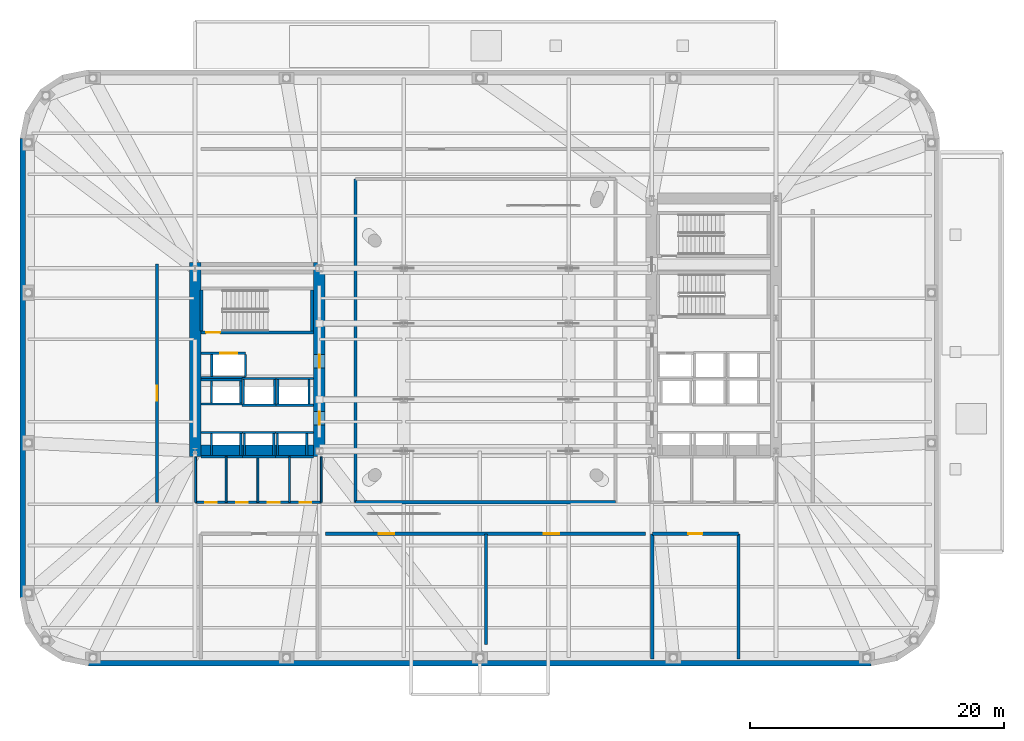
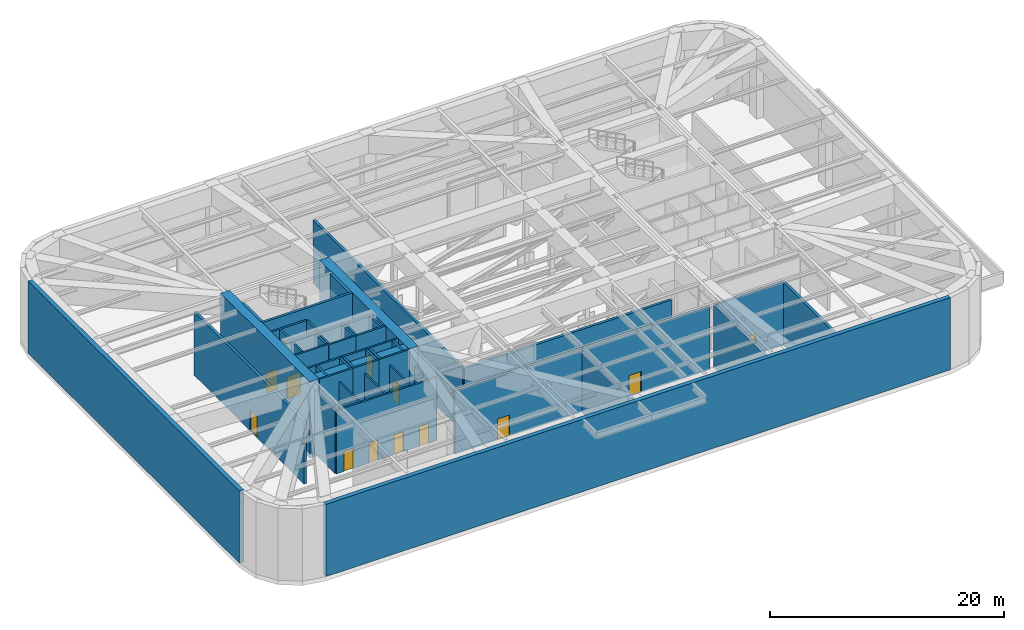
# One storey, part 8 of 15: 50 walls, 12 doors, 12 openings.
"""IFC4 building model written with IfcOpenShell, lengths in metres."""

from ifc_helpers import new_model, si_unit, direction, frame, frame_2d, origin, place, context, subcontext, project, spatial, rectangle, extrude, material, layer, layer_set, type_object, element, fill, save


model = new_model("IFC4")

# Units and contexts
model_context = context("Model", 3, precision=1e-05, world=origin(), true_north=direction((0.0, 1.0)))
body_context = subcontext(model_context, "Body", "Model", "MODEL_VIEW")
ifc_project = project(units=[si_unit("LENGTHUNIT", "METRE"), si_unit("AREAUNIT", "SQUARE_METRE"), si_unit("VOLUMEUNIT", "CUBIC_METRE"), si_unit("PLANEANGLEUNIT", "RADIAN"), si_unit("MASSUNIT", "GRAM", prefix="KILO")], contexts=[model_context])

# Site, building, storey
site_placement = place(None, origin())
site = spatial("IfcSite", under=ifc_project, at=site_placement, CompositionType="ELEMENT")
building_placement = place(site_placement, origin())
building = spatial("IfcBuilding", under=site, at=building_placement, Name="Kolvaren Arena Tower", CompositionType="ELEMENT")
storey_placement = place(building_placement, frame((0.0, 0.0, 34.0)))
storey = spatial("IfcBuildingStorey", under=building, at=storey_placement, Name="L06", CompositionType="ELEMENT", Elevation=34.0)

# Wall
ifc_material_1 = material(Name="Concrete 80 MPa", Category="concrete")
ifc_layer_1 = layer(ifc_material_1, 0.89990234375)
ifc_layer_set_1 = layer_set([ifc_layer_1], Name="Concrete 80 MPa")
wall_type_1 = type_object("IfcWallType", Name="CWALL-900", PredefinedType="SHEAR", material=ifc_layer_set_1)
wall_1_placement = place(storey_placement, frame((14.550048828125, 19.0, -0.449951171875), z_axis=(0.0, 0.0, 1.0), x_axis=(0.0, 1.0, 0.0)))
element("IfcWall", 1, at=wall_1_placement, inside=storey, type_object=wall_type_1, Name="Core Shear Wall WC-WEST (L06)", PredefinedType="SHEAR", context=body_context, shape_type="SweptSolid", body=[
    extrude(rectangle(XDim=15.300048828125, YDim=0.89990234375, at=frame_2d((7.64990234375, 0.0))), origin(), (0.0, 0.0, 1.0), 8.0),
])

# Wall, openings, doors
wall_2_placement = place(storey_placement, frame((24.35009765625, 19.0, -0.449951171875), z_axis=(0.0, 0.0, 1.0), x_axis=(0.0, 1.0, 0.0)))
wall_2 = element("IfcWall", 2, at=wall_2_placement, inside=storey, type_object=wall_type_1, Name="Core Shear Wall WC-EAST (L06)", PredefinedType="SHEAR", context=body_context, shape_type="SweptSolid", body=[
    extrude(rectangle(XDim=15.300048828125, YDim=0.89990234375, at=frame_2d((7.64990234375, 0.0))), origin(), (0.0, 0.0, 1.0), 8.0),
])
opening_1_placement = place(wall_2_placement, frame((2.5, 0.0, 0.449951171875)))
opening_1 = element("IfcOpeningElement", 3, at=opening_1_placement, cuts=wall_2, Name="Opening D04", PredefinedType="OPENING", context=body_context, shape_type="SweptSolid", body=[
    extrude(rectangle(XDim=1.050048828125, YDim=2.14990234375, at=frame_2d((0.52490234375, 1.074951171875))), frame((0.0, 0.4599609375, 0.0), z_axis=(0.0, -1.0, 0.0), x_axis=(1.0, 0.0, 0.0)), (0.0, 0.0, 1.0), 0.919921875),
])
opening_2_placement = place(wall_2_placement, frame((7.0, 0.0, 0.449951171875)))
opening_2 = element("IfcOpeningElement", 4, at=opening_2_placement, cuts=wall_2, Name="Opening D04", PredefinedType="OPENING", context=body_context, shape_type="SweptSolid", body=[
    extrude(rectangle(XDim=1.050048828125, YDim=2.14990234375, at=frame_2d((0.52490234375, 1.074951171875))), frame((0.0, 0.4599609375, 0.0), z_axis=(0.0, -1.0, 0.0), x_axis=(1.0, 0.0, 0.0)), (0.0, 0.0, 1.0), 0.919921875),
])
ifc_material_2 = material(Name="Fire-rated steel lobby door", Category="steel")
door_type_1 = type_object("IfcDoorType", Name="DOOR-FF-105", OperationType="NOTDEFINED", PredefinedType="DOOR", material=ifc_material_2)
door_1_placement = place(opening_1_placement, origin())
door_1 = element("IfcDoor", 5, at=door_1_placement, inside=storey, type_object=door_type_1, Name="West Lift Lobby Fire Door (L06)", OperationType="SINGLE_SWING_LEFT", OverallHeight=2.14990234375, OverallWidth=1.050048828125, PredefinedType="DOOR", context=body_context, shape_type="SweptSolid", body=[
    extrude(rectangle(XDim=1.050048828125, YDim=2.14990234375, at=frame_2d((0.52490234375, 1.074951171875))), frame((0.0, 0.02490234375, 0.0), z_axis=(0.0, -1.0, 0.0), x_axis=(1.0, 0.0, 0.0)), (0.0, 0.0, 1.0), 0.050048828125),
])
fill(opening_1, door_1)
door_2_placement = place(opening_2_placement, origin())
door_2 = element("IfcDoor", 6, at=door_2_placement, inside=storey, type_object=door_type_1, Name="West Firefighter Vestibule Door (L06)", OperationType="SINGLE_SWING_RIGHT", OverallHeight=2.14990234375, OverallWidth=1.050048828125, PredefinedType="DOOR", context=body_context, shape_type="SweptSolid", body=[
    extrude(rectangle(XDim=1.050048828125, YDim=2.14990234375, at=frame_2d((0.52490234375, 1.074951171875))), frame((0.0, 0.02490234375, 0.0), z_axis=(0.0, -1.0, 0.0), x_axis=(1.0, 0.0, 0.0)), (0.0, 0.0, 1.0), 0.050048828125),
])
fill(opening_2, door_2)

# Walls
wall_3_placement = place(storey_placement, frame((15.0, 19.449951171875, -0.449951171875), z_axis=(0.0, 0.0, 1.0), x_axis=(1.0, 0.0, 0.0)))
element("IfcWall", 7, at=wall_3_placement, inside=storey, type_object=wall_type_1, Name="Core Shear Wall WC-SOUTH (L06)", PredefinedType="SHEAR", context=body_context, shape_type="SweptSolid", body=[
    extrude(rectangle(XDim=8.89990234375, YDim=0.89990234375, at=frame_2d((4.449951171875, 0.0))), origin(), (0.0, 0.0, 1.0), 8.0),
])
ifc_material_3 = material(Name="Precast concrete C50/60", Category="concrete")
ifc_layer_2 = layer(ifc_material_3, 0.419921875)
ifc_layer_set_2 = layer_set([ifc_layer_2], Name="Precast concrete C50/60")
wall_type_2 = type_object("IfcWallType", Name="EXT-PIER1", PredefinedType="SOLIDWALL", material=ifc_layer_set_2)
wall_4_placement = place(storey_placement, frame((0.9599609375, 7.89990234375, 0.0), z_axis=(0.0, 0.0, 1.0), x_axis=(0.0, 1.0, 0.0)))
element("IfcWall", 8, at=wall_4_placement, inside=storey, type_object=wall_type_2, Name="Exterior Precast Masonry-Frame Wall (L06)", PredefinedType="SOLIDWALL", context=body_context, shape_type="SweptSolid", body=[
    extrude(rectangle(XDim=36.2001953125, YDim=0.419921875, at=frame_2d((18.10009765625, 0.0))), origin(), (0.0, 0.0, 1.0), 7.550048828125),
])
wall_5_placement = place(storey_placement, frame((67.85009765625, 2.7099609375, 0.0), z_axis=(0.0, 0.0, 1.0), x_axis=(-1.0, 0.0, 0.0)))
element("IfcWall", 9, at=wall_5_placement, inside=storey, type_object=wall_type_2, Name="Exterior Precast Masonry-Frame Wall (L06)", PredefinedType="SOLIDWALL", context=body_context, shape_type="SweptSolid", body=[
    extrude(rectangle(XDim=61.7001953125, YDim=0.419921875, at=frame_2d((30.85009765625, 0.0))), origin(), (0.0, 0.0, 1.0), 7.550048828125),
])

# Wall, opening, door
ifc_material_4 = material(Name="Concrete 45 MPa", Category="concrete")
ifc_layer_3 = layer(ifc_material_4, 0.25)
ifc_layer_set_3 = layer_set([ifc_layer_3], Name="Concrete 45 MPa")
wall_type_3 = type_object("IfcWallType", Name="SHAFT-250", PredefinedType="SOLIDWALL", material=ifc_layer_set_3)
wall_6_placement = place(storey_placement, frame((23.89990234375, 28.780029296875, 0.0), z_axis=(0.0, 0.0, 1.0), x_axis=(-1.0, 0.0, 0.0)))
wall_6 = element("IfcWall", 10, at=wall_6_placement, inside=storey, type_object=wall_type_3, Name="Core Shaft Wall (L06)", PredefinedType="SOLIDWALL", context=body_context, shape_type="SweptSolid", body=[
    extrude(rectangle(XDim=8.89990234375, YDim=0.239990234375, at=frame_2d((4.449951171875, 0.0))), origin(), (0.0, 0.0, 1.0), 7.550048828125),
])
opening_3_placement = place(wall_6_placement, frame((7.3798828125, 0.0, 0.0)))
opening_3 = element("IfcOpeningElement", 11, at=opening_3_placement, cuts=wall_6, Name="Opening D03", PredefinedType="OPENING", context=body_context, shape_type="SweptSolid", body=[
    extrude(rectangle(XDim=1.10009765625, YDim=2.14990234375, at=frame_2d((0.550048828125, 1.074951171875))), frame((0.0, 0.1298828125, 0.0), z_axis=(0.0, -1.0, 0.0), x_axis=(1.0, 0.0, 0.0)), (0.0, 0.0, 1.0), 0.260009765625),
])
ifc_material_5 = material(Name="Fire-rated steel exit stair door", Category="steel")
door_type_2 = type_object("IfcDoorType", Name="DOOR-ST-110", OperationType="NOTDEFINED", PredefinedType="DOOR", material=ifc_material_5)
door_3_placement = place(opening_3_placement, origin())
door_3 = element("IfcDoor", 12, at=door_3_placement, inside=storey, type_object=door_type_2, Name="Stair ST-W1 Fire Door (L06)", OperationType="SINGLE_SWING_RIGHT", OverallHeight=2.14990234375, OverallWidth=1.10009765625, PredefinedType="DOOR", context=body_context, shape_type="SweptSolid", body=[
    extrude(rectangle(XDim=1.10009765625, YDim=2.14990234375, at=frame_2d((0.550048828125, 1.074951171875))), frame((0.0, 0.02490234375, 0.0), z_axis=(0.0, -1.0, 0.0), x_axis=(1.0, 0.0, 0.0)), (0.0, 0.0, 1.0), 0.050048828125),
])
fill(opening_3, door_3)

# Walls
for number, where, z_axis, x_axis, name in (
    (13, (15.06005859375, 28.89990234375, 0.0), (0.0, 0.0, 1.0), (0.0, 1.0, 0.0), "Core Shaft Wall (L06)"),
    (14, (23.780029296875, 28.89990234375, 0.0), (0.0, 0.0, 1.0), (0.0, 1.0, 0.0), "Core Shaft Wall (L06)"),
):
    element("IfcWall", number, at=place(storey_placement, frame(where, z_axis=z_axis, x_axis=x_axis)), inside=storey, type_object=wall_type_3, Name=name, PredefinedType="SOLIDWALL", context=body_context, shape_type="SweptSolid", body=[
        extrude(rectangle(XDim=3.22998046875, YDim=0.239990234375, at=frame_2d((1.614990234375, 0.0))), origin(), (0.0, 0.0, 1.0), 7.550048828125),
    ])
for number, where, z_axis, x_axis, name in (
    (15, (15.0, 20.905029296875, 0.0), (0.0, 0.0, 1.0), (1.0, 0.0, 0.0), "Core Shaft Wall (L06)"),
    (16, (15.0, 18.9951171875, 0.0), (0.0, 0.0, 1.0), (1.0, 0.0, 0.0), "Core Shaft Wall (L06)"),
):
    element("IfcWall", number, at=place(storey_placement, frame(where, z_axis=z_axis, x_axis=x_axis)), inside=storey, type_object=wall_type_3, Name=name, PredefinedType="SOLIDWALL", context=body_context, shape_type="SweptSolid", body=[
        extrude(rectangle(XDim=3.300048828125, YDim=0.179931640625, at=frame_2d((1.64990234375, 0.0))), origin(), (0.0, 0.0, 1.0), 7.550048828125),
    ])
for number, where, z_axis, x_axis, name in (
    (17, (15.844970703125, 19.0849609375, 0.0), (0.0, 0.0, 1.0), (0.0, 1.0, 0.0), "Core Shaft Wall (L06)"),
    (18, (18.155029296875, 19.0849609375, 0.0), (0.0, 0.0, 1.0), (0.0, 1.0, 0.0), "Core Shaft Wall (L06)"),
):
    element("IfcWall", number, at=place(storey_placement, frame(where, z_axis=z_axis, x_axis=x_axis)), inside=storey, type_object=wall_type_3, Name=name, PredefinedType="SOLIDWALL", context=body_context, shape_type="SweptSolid", body=[
        extrude(rectangle(XDim=1.72998046875, YDim=0.179931640625, at=frame_2d((0.864990234375, 0.0))), origin(), (0.0, 0.0, 1.0), 7.550048828125),
    ])
for number, where, z_axis, x_axis, name in (
    (19, (18.300048828125, 20.905029296875, 0.0), (0.0, 0.0, 1.0), (1.0, 0.0, 0.0), "Core Shaft Wall (L06)"),
    (20, (18.300048828125, 18.9951171875, 0.0), (0.0, 0.0, 1.0), (1.0, 0.0, 0.0), "Core Shaft Wall (L06)"),
):
    element("IfcWall", number, at=place(storey_placement, frame(where, z_axis=z_axis, x_axis=x_axis)), inside=storey, type_object=wall_type_3, Name=name, PredefinedType="SOLIDWALL", context=body_context, shape_type="SweptSolid", body=[
        extrude(rectangle(XDim=2.599853515625, YDim=0.179931640625, at=frame_2d((1.2998046875, 0.0))), origin(), (0.0, 0.0, 1.0), 7.550048828125),
    ])
for number, where, z_axis, x_axis, name in (
    (21, (18.445068359375, 19.0849609375, 0.0), (0.0, 0.0, 1.0), (0.0, 1.0, 0.0), "Core Shaft Wall (L06)"),
    (22, (20.7548828125, 19.0849609375, 0.0), (0.0, 0.0, 1.0), (0.0, 1.0, 0.0), "Core Shaft Wall (L06)"),
):
    element("IfcWall", number, at=place(storey_placement, frame(where, z_axis=z_axis, x_axis=x_axis)), inside=storey, type_object=wall_type_3, Name=name, PredefinedType="SOLIDWALL", context=body_context, shape_type="SweptSolid", body=[
        extrude(rectangle(XDim=1.72998046875, YDim=0.179931640625, at=frame_2d((0.864990234375, 0.0))), origin(), (0.0, 0.0, 1.0), 7.550048828125),
    ])
for number, where, z_axis, x_axis, name in (
    (23, (20.89990234375, 20.905029296875, 0.0), (0.0, 0.0, 1.0), (1.0, 0.0, 0.0), "Core Shaft Wall (L06)"),
    (24, (20.89990234375, 18.9951171875, 0.0), (0.0, 0.0, 1.0), (1.0, 0.0, 0.0), "Core Shaft Wall (L06)"),
):
    element("IfcWall", number, at=place(storey_placement, frame(where, z_axis=z_axis, x_axis=x_axis)), inside=storey, type_object=wall_type_3, Name=name, PredefinedType="SOLIDWALL", context=body_context, shape_type="SweptSolid", body=[
        extrude(rectangle(XDim=3.0, YDim=0.179931640625, at=frame_2d((1.5, 0.0))), origin(), (0.0, 0.0, 1.0), 7.550048828125),
    ])
for number, where, z_axis, x_axis, name in (
    (25, (21.044921875, 19.0849609375, 0.0), (0.0, 0.0, 1.0), (0.0, 1.0, 0.0), "Core Shaft Wall (L06)"),
    (26, (23.35498046875, 19.0849609375, 0.0), (0.0, 0.0, 1.0), (0.0, 1.0, 0.0), "Core Shaft Wall (L06)"),
):
    element("IfcWall", number, at=place(storey_placement, frame(where, z_axis=z_axis, x_axis=x_axis)), inside=storey, type_object=wall_type_3, Name=name, PredefinedType="SOLIDWALL", context=body_context, shape_type="SweptSolid", body=[
        extrude(rectangle(XDim=1.72998046875, YDim=0.179931640625, at=frame_2d((0.864990234375, 0.0))), origin(), (0.0, 0.0, 1.0), 7.550048828125),
    ])
for number, where, z_axis, x_axis, name in (
    (27, (15.0, 25.054931640625, 0.0), (0.0, 0.0, 1.0), (1.0, 0.0, 0.0), "Core Shaft Wall (L06)"),
    (28, (15.0, 23.14501953125, 0.0), (0.0, 0.0, 1.0), (1.0, 0.0, 0.0), "Core Shaft Wall (L06)"),
):
    element("IfcWall", number, at=place(storey_placement, frame(where, z_axis=z_axis, x_axis=x_axis)), inside=storey, type_object=wall_type_3, Name=name, PredefinedType="SOLIDWALL", context=body_context, shape_type="SweptSolid", body=[
        extrude(rectangle(XDim=3.262451171875, YDim=0.179931640625, at=frame_2d((1.63134765625, 0.0))), origin(), (0.0, 0.0, 1.0), 7.550048828125),
    ])
for number, where, z_axis, x_axis, name in (
    (29, (15.844970703125, 23.235107421875, 0.0), (0.0, 0.0, 1.0), (0.0, 1.0, 0.0), "Core Shaft Wall (L06)"),
    (30, (18.155029296875, 23.235107421875, 0.0), (0.0, 0.0, 1.0), (0.0, 1.0, 0.0), "Core Shaft Wall (L06)"),
):
    element("IfcWall", number, at=place(storey_placement, frame(where, z_axis=z_axis, x_axis=x_axis)), inside=storey, type_object=wall_type_3, Name=name, PredefinedType="SOLIDWALL", context=body_context, shape_type="SweptSolid", body=[
        extrude(rectangle(XDim=1.72998046875, YDim=0.179931640625, at=frame_2d((0.864990234375, 0.0))), origin(), (0.0, 0.0, 1.0), 7.550048828125),
    ])
for number, where, z_axis, x_axis, name in (
    (31, (18.262451171875, 25.155029296875, 0.0), (0.0, 0.0, 1.0), (1.0, 0.0, 0.0), "Core Shaft Wall (L06)"),
    (32, (18.262451171875, 23.044921875, 0.0), (0.0, 0.0, 1.0), (1.0, 0.0, 0.0), "Core Shaft Wall (L06)"),
):
    element("IfcWall", number, at=place(storey_placement, frame(where, z_axis=z_axis, x_axis=x_axis)), inside=storey, type_object=wall_type_3, Name=name, PredefinedType="SOLIDWALL", context=body_context, shape_type="SweptSolid", body=[
        extrude(rectangle(XDim=2.6875, YDim=0.179931640625, at=frame_2d((1.34375, 0.0))), origin(), (0.0, 0.0, 1.0), 7.550048828125),
    ])
for number, where, z_axis, x_axis, name in (
    (33, (18.3701171875, 23.135009765625, 0.0), (0.0, 0.0, 1.0), (0.0, 1.0, 0.0), "Core Shaft Wall (L06)"),
    (34, (20.830078125, 23.135009765625, 0.0), (0.0, 0.0, 1.0), (0.0, 1.0, 0.0), "Core Shaft Wall (L06)"),
):
    element("IfcWall", number, at=place(storey_placement, frame(where, z_axis=z_axis, x_axis=x_axis)), inside=storey, type_object=wall_type_3, Name=name, PredefinedType="SOLIDWALL", context=body_context, shape_type="SweptSolid", body=[
        extrude(rectangle(XDim=1.929931640625, YDim=0.179931640625, at=frame_2d((0.96484375, 0.0))), origin(), (0.0, 0.0, 1.0), 7.550048828125),
    ])
for number, where, z_axis, x_axis, name in (
    (35, (20.949951171875, 25.155029296875, 0.0), (0.0, 0.0, 1.0), (1.0, 0.0, 0.0), "Core Shaft Wall (L06)"),
    (36, (20.949951171875, 23.044921875, 0.0), (0.0, 0.0, 1.0), (1.0, 0.0, 0.0), "Core Shaft Wall (L06)"),
):
    element("IfcWall", number, at=place(storey_placement, frame(where, z_axis=z_axis, x_axis=x_axis)), inside=storey, type_object=wall_type_3, Name=name, PredefinedType="SOLIDWALL", context=body_context, shape_type="SweptSolid", body=[
        extrude(rectangle(XDim=2.949951171875, YDim=0.179931640625, at=frame_2d((1.47509765625, 0.0))), origin(), (0.0, 0.0, 1.0), 7.550048828125),
    ])
for number, where, z_axis, x_axis, name in (
    (37, (21.070068359375, 23.135009765625, 0.0), (0.0, 0.0, 1.0), (0.0, 1.0, 0.0), "Core Shaft Wall (L06)"),
    (38, (23.530029296875, 23.135009765625, 0.0), (0.0, 0.0, 1.0), (0.0, 1.0, 0.0), "Core Shaft Wall (L06)"),
):
    element("IfcWall", number, at=place(storey_placement, frame(where, z_axis=z_axis, x_axis=x_axis)), inside=storey, type_object=wall_type_3, Name=name, PredefinedType="SOLIDWALL", context=body_context, shape_type="SweptSolid", body=[
        extrude(rectangle(XDim=1.929931640625, YDim=0.179931640625, at=frame_2d((0.96484375, 0.0))), origin(), (0.0, 0.0, 1.0), 7.550048828125),
    ])

# Wall, opening, door
wall_7_placement = place(storey_placement, frame((15.0, 27.155029296875, 0.0), z_axis=(0.0, 0.0, 1.0), x_axis=(1.0, 0.0, 0.0)))
wall_7 = element("IfcWall", 39, at=wall_7_placement, inside=storey, type_object=wall_type_3, Name="Core Shaft Wall (L06)", PredefinedType="SOLIDWALL", context=body_context, shape_type="SweptSolid", body=[
    extrude(rectangle(XDim=3.530029296875, YDim=0.179931640625, at=frame_2d((1.76513671875, 0.0))), origin(), (0.0, 0.0, 1.0), 7.550048828125),
])
opening_4_placement = place(wall_7_placement, frame((1.52490234375, 0.0, 0.0)))
opening_4 = element("IfcOpeningElement", 40, at=opening_4_placement, cuts=wall_7, Name="Opening LD2", PredefinedType="OPENING", context=body_context, shape_type="SweptSolid", body=[
    extrude(rectangle(XDim=1.35009765625, YDim=2.300048828125, at=frame_2d((0.675048828125, 1.14990234375))), frame((0.0, 0.099853515625, 0.0), z_axis=(0.0, -1.0, 0.0), x_axis=(1.0, 0.0, 0.0)), (0.0, 0.0, 1.0), 0.199951171875),
])
ifc_material_6 = material(Name="Stainless steel firefighter lift landing door", Category="steel")
door_type_3 = type_object("IfcDoorType", Name="DOOR-LD-135", OperationType="DOUBLE_DOOR_SLIDING", PredefinedType="DOOR", material=ifc_material_6)
door_4_placement = place(opening_4_placement, origin())
door_4 = element("IfcDoor", 41, at=door_4_placement, inside=storey, type_object=door_type_3, Name="Firefighter Lift FF-W1 Landing Door (L06)", OperationType="DOUBLE_DOOR_SLIDING", OverallHeight=2.300048828125, OverallWidth=1.35009765625, PredefinedType="DOOR", context=body_context, shape_type="SweptSolid", body=[
    extrude(rectangle(XDim=1.35009765625, YDim=2.300048828125, at=frame_2d((0.675048828125, 1.14990234375))), frame((0.0, 0.02490234375, 0.0), z_axis=(0.0, -1.0, 0.0), x_axis=(1.0, 0.0, 0.0)), (0.0, 0.0, 1.0), 0.050048828125),
])
fill(opening_4, door_4)

# Walls
wall_8_placement = place(storey_placement, frame((15.0, 25.2451171875, 0.0), z_axis=(0.0, 0.0, 1.0), x_axis=(1.0, 0.0, 0.0)))
element("IfcWall", 42, at=wall_8_placement, inside=storey, type_object=wall_type_3, Name="Core Shaft Wall (L06)", PredefinedType="SOLIDWALL", context=body_context, shape_type="SweptSolid", body=[
    extrude(rectangle(XDim=3.530029296875, YDim=0.179931640625, at=frame_2d((1.76513671875, 0.0))), origin(), (0.0, 0.0, 1.0), 7.550048828125),
])
for number, where, z_axis, x_axis, name in (
    (43, (15.8701171875, 25.3349609375, 0.0), (0.0, 0.0, 1.0), (0.0, 1.0, 0.0), "Core Shaft Wall (L06)"),
    (44, (18.530029296875, 25.3349609375, 0.0), (0.0, 0.0, 1.0), (0.0, 1.0, 0.0), "Core Shaft Wall (L06)"),
):
    element("IfcWall", number, at=place(storey_placement, frame(where, z_axis=z_axis, x_axis=x_axis)), inside=storey, type_object=wall_type_3, Name=name, PredefinedType="SOLIDWALL", context=body_context, shape_type="SweptSolid", body=[
        extrude(rectangle(XDim=1.72998046875, YDim=0.179931640625, at=frame_2d((0.864990234375, 0.0))), origin(), (0.0, 0.0, 1.0), 7.550048828125),
    ])

# Wall, openings, doors
wall_9_placement = place(storey_placement, frame((24.85009765625, 12.919921875, 0.0), z_axis=(0.0, 0.0, 1.0), x_axis=(1.0, 0.0, 0.0)))
wall_9 = element("IfcWall", 45, at=wall_9_placement, inside=storey, type_object=wall_type_3, Name="Interior Partition Wall (L06)", PredefinedType="SOLIDWALL", context=body_context, shape_type="SweptSolid", body=[
    extrude(rectangle(XDim=25.199951171875, YDim=0.25, at=frame_2d((12.60009765625, 0.0))), origin(), (0.0, 0.0, 1.0), 6.610107421875),
])
opening_5_placement = place(wall_9_placement, frame((4.199951171875, 0.0, 0.0)))
opening_5 = element("IfcOpeningElement", 46, at=opening_5_placement, cuts=wall_9, Name="Opening D08", PredefinedType="OPENING", context=body_context, shape_type="SweptSolid", body=[
    extrude(rectangle(XDim=1.199951171875, YDim=2.199951171875, at=frame_2d((0.60009765625, 1.10009765625))), frame((0.0, 0.135009765625, 0.0), z_axis=(0.0, -1.0, 0.0), x_axis=(1.0, 0.0, 0.0)), (0.0, 0.0, 1.0), 0.27001953125),
])
opening_6_placement = place(wall_9_placement, frame((17.199951171875, 0.0, 0.0)))
opening_6 = element("IfcOpeningElement", 47, at=opening_6_placement, cuts=wall_9, Name="Opening D08", PredefinedType="OPENING", context=body_context, shape_type="SweptSolid", body=[
    extrude(rectangle(XDim=1.199951171875, YDim=2.199951171875, at=frame_2d((0.60009765625, 1.10009765625))), frame((0.0, 0.135009765625, 0.0), z_axis=(0.0, -1.0, 0.0), x_axis=(1.0, 0.0, 0.0)), (0.0, 0.0, 1.0), 0.27001953125),
])
ifc_material_7 = material(Name="Fire-rated steel plant room door", Category="steel")
door_type_4 = type_object("IfcDoorType", Name="DOOR-PL-120", OperationType="NOTDEFINED", PredefinedType="DOOR", material=ifc_material_7)
door_5_placement = place(opening_5_placement, origin())
door_5 = element("IfcDoor", 48, at=door_5_placement, inside=storey, type_object=door_type_4, Name="AHU Plant Door (L06)", OperationType="SINGLE_SWING_LEFT", OverallHeight=2.199951171875, OverallWidth=1.199951171875, PredefinedType="DOOR", context=body_context, shape_type="SweptSolid", body=[
    extrude(rectangle(XDim=1.199951171875, YDim=2.199951171875, at=frame_2d((0.60009765625, 1.10009765625))), frame((0.0, 0.02490234375, 0.0), z_axis=(0.0, -1.0, 0.0), x_axis=(1.0, 0.0, 0.0)), (0.0, 0.0, 1.0), 0.050048828125),
])
fill(opening_5, door_5)
door_6_placement = place(opening_6_placement, origin())
door_6 = element("IfcDoor", 49, at=door_6_placement, inside=storey, type_object=door_type_4, Name="Chiller Plant Door (L06)", OperationType="SINGLE_SWING_RIGHT", OverallHeight=2.199951171875, OverallWidth=1.199951171875, PredefinedType="DOOR", context=body_context, shape_type="SweptSolid", body=[
    extrude(rectangle(XDim=1.199951171875, YDim=2.199951171875, at=frame_2d((0.60009765625, 1.10009765625))), frame((0.0, 0.02490234375, 0.0), z_axis=(0.0, -1.0, 0.0), x_axis=(1.0, 0.0, 0.0)), (0.0, 0.0, 1.0), 0.050048828125),
])
fill(opening_6, door_6)

# Wall
wall_10_placement = place(storey_placement, frame((37.5, 4.199951171875, 0.0), z_axis=(0.0, 0.0, 1.0), x_axis=(0.0, 1.0, 0.0)))
element("IfcWall", 50, at=wall_10_placement, inside=storey, type_object=wall_type_3, Name="Interior Partition Wall (L06)", PredefinedType="SOLIDWALL", context=body_context, shape_type="SweptSolid", body=[
    extrude(rectangle(XDim=8.719970703125, YDim=0.25, at=frame_2d((4.35986328125, 0.0))), origin(), (0.0, 0.0, 1.0), 6.610107421875),
])

# Wall, opening, door
wall_11_placement = place(storey_placement, frame((11.550048828125, 15.39990234375, 0.0), z_axis=(0.0, 0.0, 1.0), x_axis=(0.0, 1.0, 0.0)))
wall_11 = element("IfcWall", 51, at=wall_11_placement, inside=storey, type_object=wall_type_3, Name="Interior Partition Wall (L06)", PredefinedType="SOLIDWALL", context=body_context, shape_type="SweptSolid", body=[
    extrude(rectangle(XDim=18.800048828125, YDim=0.25, at=frame_2d((9.39990234375, 0.0))), origin(), (0.0, 0.0, 1.0), 6.610107421875),
])
opening_7_placement = place(wall_11_placement, frame((8.0, 0.0, 0.0)))
opening_7 = element("IfcOpeningElement", 52, at=opening_7_placement, cuts=wall_11, Name="Opening D08", PredefinedType="OPENING", context=body_context, shape_type="SweptSolid", body=[
    extrude(rectangle(XDim=1.199951171875, YDim=2.199951171875, at=frame_2d((0.60009765625, 1.10009765625))), frame((0.0, 0.135009765625, 0.0), z_axis=(0.0, -1.0, 0.0), x_axis=(1.0, 0.0, 0.0)), (0.0, 0.0, 1.0), 0.27001953125),
])
door_7_placement = place(opening_7_placement, origin())
door_7 = element("IfcDoor", 53, at=door_7_placement, inside=storey, type_object=door_type_4, Name="Pump Plant Door (L06)", OperationType="SINGLE_SWING_LEFT", OverallHeight=2.199951171875, OverallWidth=1.199951171875, PredefinedType="DOOR", context=body_context, shape_type="SweptSolid", body=[
    extrude(rectangle(XDim=1.199951171875, YDim=2.199951171875, at=frame_2d((0.60009765625, 1.10009765625))), frame((0.0, 0.02490234375, 0.0), z_axis=(0.0, -1.0, 0.0), x_axis=(1.0, 0.0, 0.0)), (0.0, 0.0, 1.0), 0.050048828125),
])
fill(opening_7, door_7)

# Walls
wall_12_placement = place(storey_placement, frame((27.199951171875, 15.39990234375, 0.0), z_axis=(0.0, 0.0, 1.0), x_axis=(1.0, 0.0, 0.0)))
element("IfcWall", 54, at=wall_12_placement, inside=storey, type_object=wall_type_3, Name="Interior Partition Wall (L06)", PredefinedType="SOLIDWALL", context=body_context, shape_type="SweptSolid", body=[
    extrude(rectangle(XDim=20.5, YDim=0.25, at=frame_2d((10.25, 0.0))), origin(), (0.0, 0.0, 1.0), 6.610107421875),
])
wall_13_placement = place(storey_placement, frame((27.199951171875, 15.39990234375, 0.0), z_axis=(0.0, 0.0, 1.0), x_axis=(0.0, 1.0, 0.0)))
element("IfcWall", 55, at=wall_13_placement, inside=storey, type_object=wall_type_3, Name="Interior Partition Wall (L06)", PredefinedType="SOLIDWALL", context=body_context, shape_type="SweptSolid", body=[
    extrude(rectangle(XDim=25.5, YDim=0.25, at=frame_2d((12.75, 0.0))), origin(), (0.0, 0.0, 1.0), 6.610107421875),
])

# Wall, opening, door
wall_14_placement = place(storey_placement, frame((50.60009765625, 12.919921875, 0.0), z_axis=(0.0, 0.0, 1.0), x_axis=(1.0, 0.0, 0.0)))
wall_14 = element("IfcWall", 56, at=wall_14_placement, inside=storey, type_object=wall_type_3, Name="Interior Partition Wall (L06)", PredefinedType="SOLIDWALL", context=body_context, shape_type="SweptSolid", body=[
    extrude(rectangle(XDim=6.7998046875, YDim=0.25, at=frame_2d((3.39990234375, 0.0))), origin(), (0.0, 0.0, 1.0), 6.610107421875),
])
opening_8_placement = place(wall_14_placement, frame((2.85009765625, 0.0, 0.0)))
opening_8 = element("IfcOpeningElement", 57, at=opening_8_placement, cuts=wall_14, Name="Opening D03", PredefinedType="OPENING", context=body_context, shape_type="SweptSolid", body=[
    extrude(rectangle(XDim=1.10009765625, YDim=2.14990234375, at=frame_2d((0.550048828125, 1.074951171875))), frame((0.0, 0.135009765625, 0.0), z_axis=(0.0, -1.0, 0.0), x_axis=(1.0, 0.0, 0.0)), (0.0, 0.0, 1.0), 0.27001953125),
])
door_8_placement = place(opening_8_placement, origin())
door_8 = element("IfcDoor", 58, at=door_8_placement, inside=storey, type_object=door_type_2, Name="East Area of Refuge Door (L06)", OperationType="SINGLE_SWING_LEFT", OverallHeight=2.14990234375, OverallWidth=1.10009765625, PredefinedType="DOOR", context=body_context, shape_type="SweptSolid", body=[
    extrude(rectangle(XDim=1.10009765625, YDim=2.14990234375, at=frame_2d((0.550048828125, 1.074951171875))), frame((0.0, 0.02490234375, 0.0), z_axis=(0.0, -1.0, 0.0), x_axis=(1.0, 0.0, 0.0)), (0.0, 0.0, 1.0), 0.050048828125),
])
fill(opening_8, door_8)

# Walls
for number, where, z_axis, x_axis, name in (
    (59, (50.60009765625, 3.06005859375, 0.0), (0.0, 0.0, 1.0), (0.0, 1.0, 0.0), "Interior Partition Wall (L06)"),
    (60, (57.39990234375, 3.06005859375, 0.0), (0.0, 0.0, 1.0), (0.0, 1.0, 0.0), "Interior Partition Wall (L06)"),
):
    element("IfcWall", number, at=place(storey_placement, frame(where, z_axis=z_axis, x_axis=x_axis)), inside=storey, type_object=wall_type_3, Name=name, PredefinedType="SOLIDWALL", context=body_context, shape_type="SweptSolid", body=[
        extrude(rectangle(XDim=9.85986328125, YDim=0.25, at=frame_2d((4.929931640625, 0.0))), origin(), (0.0, 0.0, 1.0), 6.610107421875),
    ])
ifc_material_8 = material(Name="Moisture-resistant gypsum assembly", Category="gypsum")
ifc_layer_4 = layer(ifc_material_8, 0.14990234375)
ifc_layer_set_4 = layer_set([ifc_layer_4], Name="Moisture-resistant gypsum assembly")
wall_type_4 = type_object("IfcWallType", Name="WETW-150", PredefinedType="PARTITIONING", material=ifc_layer_set_4)
for number, where, z_axis, x_axis, name in (
    (61, (17.0, 15.39990234375, 0.0), (0.0, 0.0, 1.0), (0.0, 1.0, 0.0), "Interior Partition Wall (L06)"),
    (62, (19.5, 15.39990234375, 0.0), (0.0, 0.0, 1.0), (0.0, 1.0, 0.0), "Interior Partition Wall (L06)"),
    (63, (22.0, 15.39990234375, 0.0), (0.0, 0.0, 1.0), (0.0, 1.0, 0.0), "Interior Partition Wall (L06)"),
):
    element("IfcWall", number, at=place(storey_placement, frame(where, z_axis=z_axis, x_axis=x_axis)), inside=storey, type_object=wall_type_4, Name=name, PredefinedType="PARTITIONING", context=body_context, shape_type="SweptSolid", body=[
        extrude(rectangle(XDim=3.580078125, YDim=0.14990234375, at=frame_2d((1.7900390625, 0.0))), origin(), (0.0, 0.0, 1.0), 6.610107421875),
    ])

# Wall, openings, doors
wall_15_placement = place(storey_placement, frame((14.60009765625, 15.39990234375, 0.0), z_axis=(0.0, 0.0, 1.0), x_axis=(1.0, 0.0, 0.0)))
wall_15 = element("IfcWall", 64, at=wall_15_placement, inside=storey, type_object=wall_type_4, Name="Interior Partition Wall (L06)", PredefinedType="PARTITIONING", context=body_context, shape_type="SweptSolid", body=[
    extrude(rectangle(XDim=9.89990234375, YDim=0.179931640625, at=frame_2d((4.949951171875, 0.0))), origin(), (0.0, 0.0, 1.0), 6.610107421875),
])
opening_9_placement = place(wall_15_placement, frame((0.739990234375, 0.0, 0.0)))
opening_9 = element("IfcOpeningElement", 65, at=opening_9_placement, cuts=wall_15, Name="Opening D07", PredefinedType="OPENING", context=body_context, shape_type="SweptSolid", body=[
    extrude(rectangle(XDim=0.919921875, YDim=2.10009765625, at=frame_2d((0.4599609375, 1.050048828125))), frame((0.0, 0.099853515625, 0.0), z_axis=(0.0, -1.0, 0.0), x_axis=(1.0, 0.0, 0.0)), (0.0, 0.0, 1.0), 0.199951171875),
])
opening_10_placement = place(wall_15_placement, frame((3.18994140625, 0.0, 0.0)))
opening_10 = element("IfcOpeningElement", 66, at=opening_10_placement, cuts=wall_15, Name="Opening D07", PredefinedType="OPENING", context=body_context, shape_type="SweptSolid", body=[
    extrude(rectangle(XDim=0.919921875, YDim=2.10009765625, at=frame_2d((0.4599609375, 1.050048828125))), frame((0.0, 0.099853515625, 0.0), z_axis=(0.0, -1.0, 0.0), x_axis=(1.0, 0.0, 0.0)), (0.0, 0.0, 1.0), 0.199951171875),
])
opening_11_placement = place(wall_15_placement, frame((5.68994140625, 0.0, 0.0)))
opening_11 = element("IfcOpeningElement", 67, at=opening_11_placement, cuts=wall_15, Name="Opening D07", PredefinedType="OPENING", context=body_context, shape_type="SweptSolid", body=[
    extrude(rectangle(XDim=0.919921875, YDim=2.10009765625, at=frame_2d((0.4599609375, 1.050048828125))), frame((0.0, 0.099853515625, 0.0), z_axis=(0.0, -1.0, 0.0), x_axis=(1.0, 0.0, 0.0)), (0.0, 0.0, 1.0), 0.199951171875),
])
opening_12_placement = place(wall_15_placement, frame((8.18994140625, 0.0, 0.0)))
opening_12 = element("IfcOpeningElement", 68, at=opening_12_placement, cuts=wall_15, Name="Opening D07", PredefinedType="OPENING", context=body_context, shape_type="SweptSolid", body=[
    extrude(rectangle(XDim=0.919921875, YDim=2.10009765625, at=frame_2d((0.4599609375, 1.050048828125))), frame((0.0, 0.099853515625, 0.0), z_axis=(0.0, -1.0, 0.0), x_axis=(1.0, 0.0, 0.0)), (0.0, 0.0, 1.0), 0.199951171875),
])
ifc_material_9 = material(Name="Laminate universal washroom door", Category="wood")
door_type_5 = type_object("IfcDoorType", Name="DOOR-WC-092", OperationType="NOTDEFINED", PredefinedType="DOOR", material=ifc_material_9)
door_9_placement = place(opening_9_placement, origin())
door_9 = element("IfcDoor", 69, at=door_9_placement, inside=storey, type_object=door_type_5, Name="Cleaner and Janitor Store Door (L06)", OperationType="SINGLE_SWING_RIGHT", OverallHeight=2.10009765625, OverallWidth=0.919921875, PredefinedType="DOOR", context=body_context, shape_type="SweptSolid", body=[
    extrude(rectangle(XDim=0.919921875, YDim=2.10009765625, at=frame_2d((0.4599609375, 1.050048828125))), frame((0.0, 0.02490234375, 0.0), z_axis=(0.0, -1.0, 0.0), x_axis=(1.0, 0.0, 0.0)), (0.0, 0.0, 1.0), 0.050048828125),
])
fill(opening_9, door_9)
door_10_placement = place(opening_10_placement, origin())
door_10 = element("IfcDoor", 70, at=door_10_placement, inside=storey, type_object=door_type_5, Name="Universal Barrier-Free Washroom Door (L06)", OperationType="SINGLE_SWING_LEFT", OverallHeight=2.10009765625, OverallWidth=0.919921875, PredefinedType="DOOR", context=body_context, shape_type="SweptSolid", body=[
    extrude(rectangle(XDim=0.919921875, YDim=2.10009765625, at=frame_2d((0.4599609375, 1.050048828125))), frame((0.0, 0.02490234375, 0.0), z_axis=(0.0, -1.0, 0.0), x_axis=(1.0, 0.0, 0.0)), (0.0, 0.0, 1.0), 0.050048828125),
])
fill(opening_10, door_10)
door_11_placement = place(opening_11_placement, origin())
door_11 = element("IfcDoor", 71, at=door_11_placement, inside=storey, type_object=door_type_5, Name="Women Restroom Door (L06)", OperationType="SINGLE_SWING_RIGHT", OverallHeight=2.10009765625, OverallWidth=0.919921875, PredefinedType="DOOR", context=body_context, shape_type="SweptSolid", body=[
    extrude(rectangle(XDim=0.919921875, YDim=2.10009765625, at=frame_2d((0.4599609375, 1.050048828125))), frame((0.0, 0.02490234375, 0.0), z_axis=(0.0, -1.0, 0.0), x_axis=(1.0, 0.0, 0.0)), (0.0, 0.0, 1.0), 0.050048828125),
])
fill(opening_11, door_11)
door_12_placement = place(opening_12_placement, origin())
door_12 = element("IfcDoor", 72, at=door_12_placement, inside=storey, type_object=door_type_5, Name="Men Restroom Door (L06)", OperationType="SINGLE_SWING_LEFT", OverallHeight=2.10009765625, OverallWidth=0.919921875, PredefinedType="DOOR", context=body_context, shape_type="SweptSolid", body=[
    extrude(rectangle(XDim=0.919921875, YDim=2.10009765625, at=frame_2d((0.4599609375, 1.050048828125))), frame((0.0, 0.02490234375, 0.0), z_axis=(0.0, -1.0, 0.0), x_axis=(1.0, 0.0, 0.0)), (0.0, 0.0, 1.0), 0.050048828125),
])
fill(opening_12, door_12)

# Walls
wall_16_placement = place(storey_placement, frame((14.60009765625, 15.39990234375, 0.0), z_axis=(0.0, 0.0, 1.0), x_axis=(0.0, 1.0, 0.0)))
element("IfcWall", 73, at=wall_16_placement, inside=storey, type_object=wall_type_4, Name="Interior Partition Wall (L06)", PredefinedType="PARTITIONING", context=body_context, shape_type="SweptSolid", body=[
    extrude(rectangle(XDim=3.580078125, YDim=0.14990234375, at=frame_2d((1.7900390625, 0.0))), origin(), (0.0, 0.0, 1.0), 6.610107421875),
])
wall_17_placement = place(storey_placement, frame((24.5, 15.39990234375, 0.0), z_axis=(0.0, 0.0, 1.0), x_axis=(0.0, 1.0, 0.0)))
element("IfcWall", 74, at=wall_17_placement, inside=storey, type_object=wall_type_4, Name="Interior Partition Wall (L06)", PredefinedType="PARTITIONING", context=body_context, shape_type="SweptSolid", body=[
    extrude(rectangle(XDim=3.580078125, YDim=0.14990234375, at=frame_2d((1.7900390625, 0.0))), origin(), (0.0, 0.0, 1.0), 5.60009765625),
])

save(model, "model.ifc")
